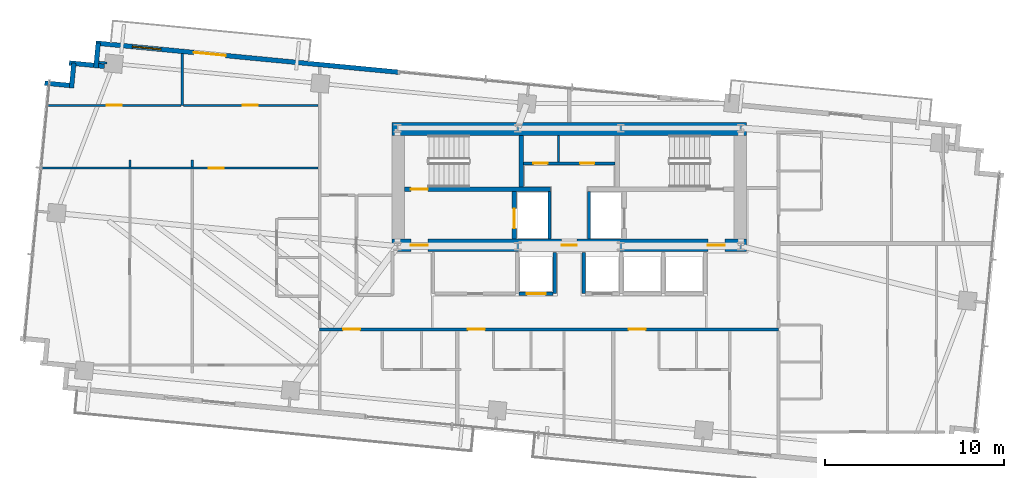
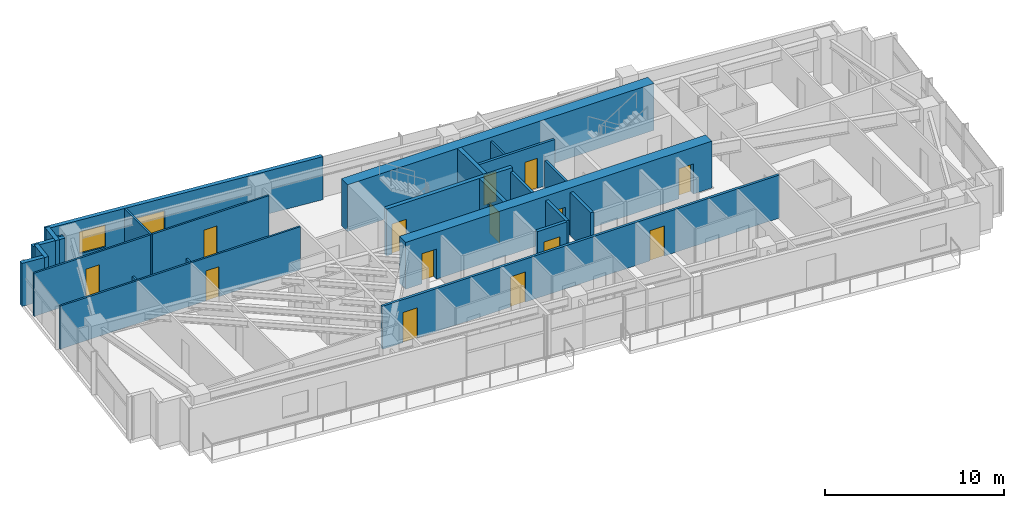
# One storey, part 15 of 19: 25 walls, 15 doors, 1 window, 16 openings.
"""IFC4 building model written with IfcOpenShell, lengths in metres."""

import ifcopenshell
import ifcopenshell.guid

model = None  # the IFC model being written
_history = None  # IfcOwnerHistory: only IFC2X3 demands one
_inside = {}  # id of a spatial element -> (the spatial element, [elements in it])
_under = {}  # id of a project, library or spatial element -> (it, [spatial elements below it])
_declared = {}  # id of a project -> (the project, [libraries it declares])
_typed = {}  # id of a type object -> (the type object, [elements of that type])
_made_of = {}  # id of a material, layer set ... -> (it, [elements and type objects made of it])


def new_model(schema):
    """Start an empty IFC model of exactly this schema.

    Asked for "IFC4X3", IfcOpenShell would pick the latest addendum, in which some entities
    have other attributes; the version numbers below select the first issue.
    IFC2X3 requires an IfcOwnerHistory on every rooted entity: one is made here for all.
    """
    global model, _history
    if schema == "IFC4X3":
        model = ifcopenshell.file(schema_version=(4, 3, 0, 0))
    else:
        model = ifcopenshell.file(schema=schema)
    _inside.clear()
    _under.clear()
    _declared.clear()
    _typed.clear()
    _made_of.clear()
    _history = None
    if model.schema == "IFC2X3":
        org = make("IfcOrganization", Name="unknown")
        user = make(
            "IfcPersonAndOrganization",
            ThePerson=make("IfcPerson", FamilyName="unknown"),
            TheOrganization=org,
        )
        app = make(
            "IfcApplication",
            ApplicationDeveloper=org,
            Version="unknown",
            ApplicationFullName="unknown",
            ApplicationIdentifier="unknown",
        )
        _history = make(
            "IfcOwnerHistory",
            OwningUser=user,
            OwningApplication=app,
            ChangeAction="ADDED",
            CreationDate=0,
        )
    return model


def make(cls, **values):
    """One entity of the class cls with the attributes given. An attribute that is None is left unset."""
    return model.create_entity(
        cls, **{name: value for name, value in values.items() if value is not None}
    )


def rooted(cls, **values):
    """An entity with a GlobalId (a new one), such as an element, a storey or a relation."""
    return make(cls, GlobalId=ifcopenshell.guid.new(), OwnerHistory=_history, **values)


def si_unit(unit_type, name, prefix=None):
    """IfcSIUnit, for example si_unit("LENGTHUNIT", "METRE", prefix="MILLI")."""
    return make("IfcSIUnit", UnitType=unit_type, Prefix=prefix, Name=name)


def assignment(units):
    """IfcUnitAssignment: the units of a project."""
    return None if units is None else make("IfcUnitAssignment", Units=units)


def point(xyz):
    """IfcCartesianPoint."""
    return None if xyz is None else make("IfcCartesianPoint", Coordinates=xyz)


def direction(xyz):
    """IfcDirection."""
    return None if xyz is None else make("IfcDirection", DirectionRatios=xyz)


def frame(location, z_axis=None, x_axis=None):
    """IfcAxis2Placement3D, a coordinate frame: its origin and axes. An axis left out is left unset."""
    return make(
        "IfcAxis2Placement3D",
        Location=point(location),
        Axis=direction(z_axis),
        RefDirection=direction(x_axis),
    )


def frame_2d(location, x_axis=None):
    """IfcAxis2Placement2D, a coordinate frame in the plane: its origin and x axis."""
    return make(
        "IfcAxis2Placement2D", Location=point(location), RefDirection=direction(x_axis)
    )


def origin():
    """The frame at (0, 0, 0) with its axes left unset."""
    return frame((0.0, 0.0, 0.0))


def place(relative_to, where):
    """IfcLocalPlacement: puts the frame where relative to a parent placement (None: the world)."""
    return make(
        "IfcLocalPlacement", PlacementRelTo=relative_to, RelativePlacement=where
    )


def context(
    kind, dimensions, precision=None, world=None, true_north=None, identifier=None
):
    """IfcGeometricRepresentationContext, for example the 3D "Model" context."""
    return make(
        "IfcGeometricRepresentationContext",
        ContextIdentifier=identifier,
        ContextType=kind,
        CoordinateSpaceDimension=dimensions,
        Precision=precision,
        WorldCoordinateSystem=world,
        TrueNorth=true_north,
    )


def subcontext(parent, identifier, kind, view, scale=None):
    """IfcGeometricRepresentationSubContext, for example "Body" below "Model"."""
    return make(
        "IfcGeometricRepresentationSubContext",
        ContextIdentifier=identifier,
        ContextType=kind,
        ParentContext=parent,
        TargetScale=scale,
        TargetView=view,
    )


def project(units=None, contexts=None):
    """IfcProject with its units and contexts."""
    return rooted(
        "IfcProject",
        Name="project",
        RepresentationContexts=contexts,
        UnitsInContext=assignment(units),
    )


def spatial(cls, under=None, at=None, **own):
    """A site, building, storey or space (cls), placed at a placement, below another one or the project."""
    s = rooted(cls, ObjectPlacement=at, **own)
    if under is not None:
        _under.setdefault(under.id(), (under, []))[1].append(s)
    return s


def profile(cls, at=None, kind="AREA", **sizes):
    """A parametric profile (cls). Its sizes go by their IFC names, for example OverallWidth=200.0."""
    return make(cls, ProfileType=kind, Position=at, **sizes)


def rectangle(**sizes):
    """IfcRectangleProfileDef."""
    return profile("IfcRectangleProfileDef", **sizes)


def extrude(swept, where, along, depth):
    """IfcExtrudedAreaSolid: the profile swept, set in the frame where, extruded along a direction by depth."""
    return make(
        "IfcExtrudedAreaSolid",
        SweptArea=swept,
        Position=where,
        ExtrudedDirection=direction(along),
        Depth=depth,
    )


def shape(context_of_items, identifier, shape_type, items):
    """IfcShapeRepresentation: the items that make up one representation, for example the "Body"."""
    return make(
        "IfcShapeRepresentation",
        ContextOfItems=context_of_items,
        RepresentationIdentifier=identifier,
        RepresentationType=shape_type,
        Items=items,
    )


def source(mapping_origin, context_of_items, identifier, shape_type, items):
    """IfcRepresentationMap: a shape defined once, which mapped items show again and again."""
    return make(
        "IfcRepresentationMap",
        MappingOrigin=mapping_origin,
        MappedRepresentation=shape(context_of_items, identifier, shape_type, items),
    )


def transform(
    local_origin,
    x_axis=None,
    y_axis=None,
    z_axis=None,
    scale=None,
    scale2=None,
    scale3=None,
    uniform=True,
):
    """IfcCartesianTransformationOperator3D, or its non-uniform kind. x_axis, y_axis, z_axis: its Axis1, 2, 3."""
    if uniform:
        return make(
            "IfcCartesianTransformationOperator3D",
            Axis1=direction(x_axis),
            Axis2=direction(y_axis),
            LocalOrigin=point(local_origin),
            Scale=scale,
            Axis3=direction(z_axis),
        )
    return make(
        "IfcCartesianTransformationOperator3DnonUniform",
        Axis1=direction(x_axis),
        Axis2=direction(y_axis),
        LocalOrigin=point(local_origin),
        Scale=scale,
        Axis3=direction(z_axis),
        Scale2=scale2,
        Scale3=scale3,
    )


def mapped(mapping_source, mapping_target):
    """IfcMappedItem: shows the shape of a source again, moved by a transform."""
    return make(
        "IfcMappedItem", MappingSource=mapping_source, MappingTarget=mapping_target
    )


def material(Name=None, Category=None):
    """IfcMaterial."""
    return make("IfcMaterial", Name=Name, Category=Category)


def layer(
    of_material, thickness, ventilated=None, Name=None, Category=None, Priority=None
):
    """IfcMaterialLayer: one layer of a wall or slab, of a material (None: an air gap)."""
    return make(
        "IfcMaterialLayer",
        Material=of_material,
        LayerThickness=thickness,
        IsVentilated=ventilated,
        Name=Name,
        Category=Category,
        Priority=Priority,
    )


def layer_set(layers, Name=None):
    """IfcMaterialLayerSet."""
    return make("IfcMaterialLayerSet", MaterialLayers=layers, LayerSetName=Name)


def made_of(thing, what):
    """Note that an element or type object is made of a material, layer set ...; save() writes the relation."""
    if what is not None:
        _made_of.setdefault(what.id(), (what, []))[1].append(thing)
    return thing


def type_object(cls, material=None, **own):
    """A type object (cls), such as IfcWallType, which elements share."""
    return made_of(rooted(cls, **own), material)


def type_shapes(of_type, sources):
    """Give a type object the sources (RepresentationMaps) that its elements show as mapped items."""
    of_type.RepresentationMaps = sources


def element(
    cls,
    number,
    at=None,
    inside=None,
    cuts=None,
    type_object=None,
    material=None,
    context=None,
    identifier="Body",
    shape_type=None,
    held_by="IfcProductDefinitionShape",
    body=None,
    shapes=None,
    **own,
):
    """One element of the class cls, such as IfcWall. Its Tag is "e" and its number.

    at: its placement. inside: the storey or other place that contains it. cuts: it is an
    opening in that element (IfcRelVoidsElement). A single representation is given by context,
    identifier, shape_type and body (its items); several are given by shapes. held_by: the class
    of the entity that holds the representations. save() writes the other relations.
    """
    e = rooted(cls, Tag="e%d" % number, ObjectPlacement=at, **own)
    if body is not None:
        shapes = [shape(context, identifier, shape_type, body)]
    if shapes is not None:
        e.Representation = make(held_by, Representations=shapes)
    if inside is not None:
        _inside.setdefault(inside.id(), (inside, []))[1].append(e)
    if cuts is not None:
        rooted(
            "IfcRelVoidsElement", RelatingBuildingElement=cuts, RelatedOpeningElement=e
        )
    if type_object is not None:
        _typed.setdefault(type_object.id(), (type_object, []))[1].append(e)
    return made_of(e, material)


def fill(opening, filler):
    """IfcRelFillsElement: the door or window that sits in an opening."""
    return rooted(
        "IfcRelFillsElement",
        RelatingOpeningElement=opening,
        RelatedBuildingElement=filler,
    )


def aggregate(whole, parts):
    """IfcRelAggregates: a whole, such as a stair, and the parts it consists of."""
    return rooted("IfcRelAggregates", RelatingObject=whole, RelatedObjects=parts)


def save(model, path):
    """Write the relations noted so far, then the file.

    IfcRelAggregates (storeys below a building ...), IfcRelContainedInSpatialStructure (elements
    in a storey), IfcRelDefinesByType, IfcRelAssociatesMaterial and IfcRelDeclares: one each for
    every whole, place, type object, material and project.
    """
    for whole, parts in _under.values():
        aggregate(whole, parts)
    for where, things in _inside.values():
        rooted(
            "IfcRelContainedInSpatialStructure",
            RelatedElements=things,
            RelatingStructure=where,
        )
    for kind, things in _typed.values():
        rooted("IfcRelDefinesByType", RelatedObjects=things, RelatingType=kind)
    for what, things in _made_of.values():
        rooted("IfcRelAssociatesMaterial", RelatedObjects=things, RelatingMaterial=what)
    for by, libraries in _declared.values():
        rooted("IfcRelDeclares", RelatingContext=by, RelatedDefinitions=libraries)
    model.write(path)


model = new_model("IFC4")

# Units and contexts
model_context = context("Model", 3, precision=1e-05, world=origin(), true_north=direction((0.0, 1.0)))
body_context = subcontext(model_context, "Body", "Model", "MODEL_VIEW")
ifc_project = project(units=[si_unit("LENGTHUNIT", "METRE"), si_unit("AREAUNIT", "SQUARE_METRE"), si_unit("VOLUMEUNIT", "CUBIC_METRE"), si_unit("PLANEANGLEUNIT", "RADIAN"), si_unit("MASSUNIT", "GRAM", prefix="KILO")], contexts=[model_context])

# Site, building, storey
site_placement = place(None, origin())
site = spatial("IfcSite", under=ifc_project, at=site_placement, CompositionType="ELEMENT")
building_placement = place(site_placement, origin())
building = spatial("IfcBuilding", under=site, at=building_placement, Name="Astriad Promenade Condominiums", CompositionType="ELEMENT")
storey_placement = place(building_placement, frame((0.0, 0.0, 140.60009765625)))
storey = spatial("IfcBuildingStorey", under=building, at=storey_placement, Name="L40", CompositionType="ELEMENT", Elevation=140.60009765625)

# Wall, openings, doors
ifc_material_1 = material(Name="Concrete C60/75", Category="concrete")
ifc_layer_1 = layer(ifc_material_1, 0.699951171875)
ifc_layer_set_1 = layer_set([ifc_layer_1], Name="Concrete C60/75")
wall_type_1 = type_object("IfcWallType", Name="CW-SHEAR-700", PredefinedType="SHEAR", material=ifc_layer_set_1)
wall_1_placement = place(storey_placement, frame((26.10009765625, 17.449951171875, 0.0), z_axis=(0.0, 0.0, 1.0), x_axis=(1.0, 0.0, 0.0)))
wall_1 = element("IfcWall", 1, at=wall_1_placement, inside=storey, type_object=wall_type_1, Name="CW-CORE-S-L40", PredefinedType="SHEAR", context=body_context, shape_type="SweptSolid", body=[
    extrude(rectangle(XDim=19.7998046875, YDim=0.699951171875, at=frame_2d((9.89990234375, 0.0))), origin(), (0.0, 0.0, 1.0), 3.199951171875),
])
opening_1_placement = place(wall_1_placement, frame((1.050048828125, 0.0, 0.0)))
opening_1 = element("IfcOpeningElement", 2, at=opening_1_placement, cuts=wall_1, Name="Opening FD90-ST-095", PredefinedType="OPENING", context=body_context, shape_type="SweptSolid", body=[
    extrude(rectangle(XDim=0.949951171875, YDim=2.06005859375, at=frame_2d((0.47509765625, 1.030029296875))), frame((0.0, 0.35986328125, 0.0), z_axis=(0.0, -1.0, 0.0), x_axis=(1.0, 0.0, 0.0)), (0.0, 0.0, 1.0), 0.719970703125),
])
opening_2_placement = place(wall_1_placement, frame((9.47998046875, 0.0, 0.0)))
opening_2 = element("IfcOpeningElement", 3, at=opening_2_placement, cuts=wall_1, Name="Opening FD60-ULOW-085", PredefinedType="OPENING", context=body_context, shape_type="SweptSolid", body=[
    extrude(rectangle(XDim=0.85009765625, YDim=2.0, at=frame_2d((0.425048828125, 1.0))), frame((0.0, 0.35986328125, 0.0), z_axis=(0.0, -1.0, 0.0), x_axis=(1.0, 0.0, 0.0)), (0.0, 0.0, 1.0), 0.719970703125),
])
opening_3_placement = place(wall_1_placement, frame((17.64990234375, 0.0, 0.0)))
opening_3 = element("IfcOpeningElement", 4, at=opening_3_placement, cuts=wall_1, Name="Opening FD90-ST-095", PredefinedType="OPENING", context=body_context, shape_type="SweptSolid", body=[
    extrude(rectangle(XDim=0.949951171875, YDim=2.06005859375, at=frame_2d((0.47509765625, 1.030029296875))), frame((0.0, 0.35986328125, 0.0), z_axis=(0.0, -1.0, 0.0), x_axis=(1.0, 0.0, 0.0)), (0.0, 0.0, 1.0), 0.719970703125),
])
ifc_material_2 = material(Name="Fire-Rated Hollow Metal Stair Door")
door_type_1 = type_object("IfcDoorType", Name="FD90-ST-095", OperationType="NOTDEFINED", PredefinedType="DOOR", material=ifc_material_2)
shared_shape_1 = source(origin(), body_context, "Body", "SweptSolid", [
    extrude(rectangle(XDim=0.949951171875, YDim=2.06005859375, at=frame_2d((0.47509765625, 1.030029296875))), frame((0.0, 0.02490234375, 0.0), z_axis=(0.0, -1.0, 0.0), x_axis=(1.0, 0.0, 0.0)), (0.0, 0.0, 1.0), 0.050048828125),
])
type_shapes(door_type_1, [shared_shape_1])
door_1_placement = place(opening_1_placement, origin())
door_1 = element("IfcDoor", 5, at=door_1_placement, inside=storey, type_object=door_type_1, Name="D-FFW-L40", OperationType="SINGLE_SWING_LEFT", OverallHeight=2.06005859375, OverallWidth=0.949951171875, PredefinedType="DOOR", context=body_context, shape_type="MappedRepresentation", body=[
    mapped(shared_shape_1, transform((0.0, 0.0, 0.0), scale=1.0)),
])
fill(opening_1, door_1)
door_2_placement = place(opening_3_placement, origin())
door_2 = element("IfcDoor", 6, at=door_2_placement, inside=storey, type_object=door_type_1, Name="D-FFE-L40", OperationType="SINGLE_SWING_RIGHT", OverallHeight=2.06005859375, OverallWidth=0.949951171875, PredefinedType="DOOR", context=body_context, shape_type="MappedRepresentation", body=[
    mapped(shared_shape_1, transform((0.0, 0.0, 0.0), scale=1.0)),
])
fill(opening_3, door_2)
ifc_material_3 = material(Name="Solid-Core Low-Headroom Fire Door")
door_type_2 = type_object("IfcDoorType", Name="FD60-ULOW-085", OperationType="NOTDEFINED", PredefinedType="DOOR", material=ifc_material_3)
shared_shape_2 = source(origin(), body_context, "Body", "SweptSolid", [
    extrude(rectangle(XDim=0.85009765625, YDim=2.0, at=frame_2d((0.425048828125, 1.0))), frame((0.0, 0.02490234375, 0.0), z_axis=(0.0, -1.0, 0.0), x_axis=(1.0, 0.0, 0.0)), (0.0, 0.0, 1.0), 0.050048828125),
])
type_shapes(door_type_2, [shared_shape_2])
door_3_placement = place(opening_2_placement, origin())
door_3 = element("IfcDoor", 7, at=door_3_placement, inside=storey, type_object=door_type_2, Name="D-CSL-L40", OperationType="SINGLE_SWING_RIGHT", OverallHeight=2.0, OverallWidth=0.85009765625, PredefinedType="DOOR", context=body_context, shape_type="MappedRepresentation", body=[
    mapped(shared_shape_2, transform((0.0, 0.0, 0.0), scale=1.0)),
])
fill(opening_2, door_3)

# Wall
wall_2_placement = place(storey_placement, frame((26.10009765625, 23.949951171875, 0.0), z_axis=(0.0, 0.0, 1.0), x_axis=(1.0, 0.0, 0.0)))
element("IfcWall", 8, at=wall_2_placement, inside=storey, type_object=wall_type_1, Name="CW-CORE-N-L40", PredefinedType="SHEAR", context=body_context, shape_type="SweptSolid", body=[
    extrude(rectangle(XDim=19.7998046875, YDim=0.699951171875, at=frame_2d((9.89990234375, 0.0))), origin(), (0.0, 0.0, 1.0), 3.199951171875),
])

# Wall, opening, door
ifc_material_4 = material(Name="Concrete C50/60", Category="concrete")
ifc_layer_2 = layer(ifc_material_4, 0.25)
ifc_layer_set_2 = layer_set([ifc_layer_2], Name="Concrete C50/60")
wall_type_2 = type_object("IfcWallType", Name="WALL-CORE-INT-250", PredefinedType="SOLIDWALL", material=ifc_layer_set_2)
wall_3_placement = place(storey_placement, frame((26.802001953125, 20.574951171875, 0.0), z_axis=(0.0, 0.0, 1.0), x_axis=(1.0, 0.0, 0.0)))
wall_3 = element("IfcWall", 9, at=wall_3_placement, inside=storey, type_object=wall_type_2, Name="CW-INT-H1-L40", PredefinedType="SOLIDWALL", context=body_context, shape_type="SweptSolid", body=[
    extrude(rectangle(XDim=8.14794921875, YDim=0.25, at=frame_2d((4.073974609375, 0.0))), origin(), (0.0, 0.0, 1.0), 3.199951171875),
])
opening_4_placement = place(wall_3_placement, frame((0.347900390625, 0.0, 0.0)))
opening_4 = element("IfcOpeningElement", 10, at=opening_4_placement, cuts=wall_3, Name="Opening FD90-ST-095", PredefinedType="OPENING", context=body_context, shape_type="SweptSolid", body=[
    extrude(rectangle(XDim=0.949951171875, YDim=2.06005859375, at=frame_2d((0.47509765625, 1.030029296875))), frame((0.0, 0.135009765625, 0.0), z_axis=(0.0, -1.0, 0.0), x_axis=(1.0, 0.0, 0.0)), (0.0, 0.0, 1.0), 0.27001953125),
])
door_4_placement = place(opening_4_placement, origin())
door_4 = element("IfcDoor", 11, at=door_4_placement, inside=storey, type_object=door_type_1, Name="D-ST1-L40", OperationType="SINGLE_SWING_RIGHT", OverallHeight=2.06005859375, OverallWidth=0.949951171875, PredefinedType="DOOR", context=body_context, shape_type="MappedRepresentation", body=[
    mapped(shared_shape_1, transform((0.0, 0.0, 0.0), scale=1.0)),
])
fill(opening_4, door_4)

# Wall
wall_4_placement = place(storey_placement, frame((33.324951171875, 20.701904296875, 0.0), z_axis=(0.0, 0.0, 1.0), x_axis=(0.0, 1.0, 0.0)))
element("IfcWall", 12, at=wall_4_placement, inside=storey, type_object=wall_type_2, Name="CW-ST1-E-L40", PredefinedType="SOLIDWALL", context=body_context, shape_type="SweptSolid", body=[
    extrude(rectangle(XDim=2.89599609375, YDim=0.25, at=frame_2d((1.447998046875, 0.0))), origin(), (0.0, 0.0, 1.0), 3.199951171875),
])

# Wall, opening, door
wall_5_placement = place(storey_placement, frame((32.925048828125, 17.802001953125, 0.0), z_axis=(0.0, 0.0, 1.0), x_axis=(0.0, 1.0, 0.0)))
wall_5 = element("IfcWall", 13, at=wall_5_placement, inside=storey, type_object=wall_type_2, Name="CW-FFL1-W-L40", PredefinedType="SOLIDWALL", context=body_context, shape_type="SweptSolid", body=[
    extrude(rectangle(XDim=2.64599609375, YDim=0.25, at=frame_2d((1.322998046875, 0.0))), origin(), (0.0, 0.0, 1.0), 3.199951171875),
])
opening_5_placement = place(wall_5_placement, frame((0.597900390625, 0.0, 0.0)))
opening_5 = element("IfcOpeningElement", 14, at=opening_5_placement, cuts=wall_5, Name="Opening LD-FFL-1122", PredefinedType="OPENING", context=body_context, shape_type="SweptSolid", body=[
    extrude(rectangle(XDim=1.10009765625, YDim=2.080078125, at=frame_2d((0.550048828125, 1.0400390625))), frame((0.0, 0.135009765625, 0.0), z_axis=(0.0, -1.0, 0.0), x_axis=(1.0, 0.0, 0.0)), (0.0, 0.0, 1.0), 0.27001953125),
])
ifc_material_5 = material(Name="Brushed Stainless Steel Fire Elevator Landing Door", Category="steel")
door_type_3 = type_object("IfcDoorType", Name="LD-FFL-1122", OperationType="NOTDEFINED", PredefinedType="DOOR", material=ifc_material_5)
shared_shape_3 = source(origin(), body_context, "Body", "SweptSolid", [
    extrude(rectangle(XDim=1.10009765625, YDim=2.080078125, at=frame_2d((0.550048828125, 1.0400390625))), frame((0.0, 0.02490234375, 0.0), z_axis=(0.0, -1.0, 0.0), x_axis=(1.0, 0.0, 0.0)), (0.0, 0.0, 1.0), 0.050048828125),
])
type_shapes(door_type_3, [shared_shape_3])
door_5_placement = place(opening_5_placement, origin())
door_5 = element("IfcDoor", 15, at=door_5_placement, inside=storey, type_object=door_type_3, Name="Elevator Landing Door FFL-1 (L40)", OperationType="SLIDING_TO_LEFT", OverallHeight=2.080078125, OverallWidth=1.10009765625, PredefinedType="DOOR", context=body_context, shape_type="MappedRepresentation", body=[
    mapped(shared_shape_3, transform((0.0, 0.0, 0.0), scale=1.0)),
])
fill(opening_5, door_5)

# Walls
ifc_material_6 = material(Name="Fire-Rated Gypsum Partition")
ifc_layer_3 = layer(ifc_material_6, 0.159912109375)
ifc_layer_set_3 = layer_set([ifc_layer_3], Name="Fire-Rated Gypsum Partition")
wall_type_3 = type_object("IfcWallType", Name="WALL-CORR-160", PredefinedType="PARTITIONING", material=ifc_layer_set_3)
for number, where, z_axis, x_axis, name in (
    (16, (34.89990234375, 17.802001953125, 0.0), (0.0, 0.0, 1.0), (0.0, 1.0, 0.0), "CW-FFL1-E-L40"),
    (17, (37.10009765625, 17.802001953125, 0.0), (0.0, 0.0, 1.0), (0.0, 1.0, 0.0), "CW-FFL2-W-L40"),
):
    element("IfcWall", number, at=place(storey_placement, frame(where, z_axis=z_axis, x_axis=x_axis)), inside=storey, type_object=wall_type_3, Name=name, PredefinedType="PARTITIONING", context=body_context, shape_type="SweptSolid", body=[
        extrude(rectangle(XDim=2.64599609375, YDim=0.159912109375, at=frame_2d((1.322998046875, 0.0))), origin(), (0.0, 0.0, 1.0), 2.93994140625),
    ])

# Wall, openings, doors
wall_6_placement = place(storey_placement, frame((33.451904296875, 22.030029296875, 0.0), z_axis=(0.0, 0.0, 1.0), x_axis=(1.0, 0.0, 0.0)))
wall_6 = element("IfcWall", 18, at=wall_6_placement, inside=storey, type_object=wall_type_3, Name="CW-AUX-N-L40", PredefinedType="PARTITIONING", context=body_context, shape_type="SweptSolid", body=[
    extrude(rectangle(XDim=5.09619140625, YDim=0.159912109375, at=frame_2d((2.548095703125, 0.0))), origin(), (0.0, 0.0, 1.0), 2.93994140625),
])
opening_6_placement = place(wall_6_placement, frame((0.5380859375, 0.0, 0.0)))
opening_6 = element("IfcOpeningElement", 19, at=opening_6_placement, cuts=wall_6, Name="Opening FD60-SV-080", PredefinedType="OPENING", context=body_context, shape_type="SweptSolid", body=[
    extrude(rectangle(XDim=0.800048828125, YDim=2.050048828125, at=frame_2d((0.39990234375, 1.02490234375))), frame((0.0, 0.08984375, 0.0), z_axis=(0.0, -1.0, 0.0), x_axis=(1.0, 0.0, 0.0)), (0.0, 0.0, 1.0), 0.179931640625),
])
opening_7_placement = place(wall_6_placement, frame((3.157958984375, 0.0, 0.0)))
opening_7 = element("IfcOpeningElement", 20, at=opening_7_placement, cuts=wall_6, Name="Opening FD60-SV-080", PredefinedType="OPENING", context=body_context, shape_type="SweptSolid", body=[
    extrude(rectangle(XDim=0.800048828125, YDim=2.050048828125, at=frame_2d((0.39990234375, 1.02490234375))), frame((0.0, 0.08984375, 0.0), z_axis=(0.0, -1.0, 0.0), x_axis=(1.0, 0.0, 0.0)), (0.0, 0.0, 1.0), 0.179931640625),
])
ifc_material_7 = material(Name="Fire-Rated Riser Closet Door")
door_type_4 = type_object("IfcDoorType", Name="FD60-SV-080", OperationType="NOTDEFINED", PredefinedType="DOOR", material=ifc_material_7)
shared_shape_4 = source(origin(), body_context, "Body", "SweptSolid", [
    extrude(rectangle(XDim=0.800048828125, YDim=2.050048828125, at=frame_2d((0.39990234375, 1.02490234375))), frame((0.0, 0.02490234375, 0.0), z_axis=(0.0, -1.0, 0.0), x_axis=(1.0, 0.0, 0.0)), (0.0, 0.0, 1.0), 0.050048828125),
])
type_shapes(door_type_4, [shared_shape_4])
door_6_placement = place(opening_6_placement, origin())
door_6 = element("IfcDoor", 21, at=door_6_placement, inside=storey, type_object=door_type_4, Name="D-AUX1-L40", OperationType="SINGLE_SWING_RIGHT", OverallHeight=2.050048828125, OverallWidth=0.800048828125, PredefinedType="DOOR", context=body_context, shape_type="MappedRepresentation", body=[
    mapped(shared_shape_4, transform((0.0, 0.0, 0.0), scale=1.0)),
])
fill(opening_6, door_6)
door_7_placement = place(opening_7_placement, origin())
door_7 = element("IfcDoor", 22, at=door_7_placement, inside=storey, type_object=door_type_4, Name="D-AUX2-L40", OperationType="SINGLE_SWING_LEFT", OverallHeight=2.050048828125, OverallWidth=0.800048828125, PredefinedType="DOOR", context=body_context, shape_type="MappedRepresentation", body=[
    mapped(shared_shape_4, transform((0.0, 0.0, 0.0), scale=1.0)),
])
fill(opening_7, door_7)

wall_7_placement = place(storey_placement, frame((22.050048828125, 12.75, 0.0), z_axis=(0.0, 0.0, 1.0), x_axis=(1.0, 0.0, 0.0)))
wall_7 = element("IfcWall", 23, at=wall_7_placement, inside=storey, type_object=wall_type_3, Name="PT-COR-S-L40", PredefinedType="PARTITIONING", context=body_context, shape_type="SweptSolid", body=[
    extrude(rectangle(XDim=25.64990234375, YDim=0.159912109375, at=frame_2d((12.824951171875, 0.0))), origin(), (0.0, 0.0, 1.0), 2.93994140625),
])
opening_8_placement = place(wall_7_placement, frame((1.31201171875, 0.0, 0.0)))
opening_8 = element("IfcOpeningElement", 24, at=opening_8_placement, cuts=wall_7, Name="Opening FD60-APT-095", PredefinedType="OPENING", context=body_context, shape_type="SweptSolid", body=[
    extrude(rectangle(XDim=0.949951171875, YDim=2.06005859375, at=frame_2d((0.47509765625, 1.030029296875))), frame((0.0, 0.08984375, 0.0), z_axis=(0.0, -1.0, 0.0), x_axis=(1.0, 0.0, 0.0)), (0.0, 0.0, 1.0), 0.179931640625),
])
opening_9_placement = place(wall_7_placement, frame((8.281005859375, 0.0, 0.0)))
opening_9 = element("IfcOpeningElement", 25, at=opening_9_placement, cuts=wall_7, Name="Opening FD60-APT-095", PredefinedType="OPENING", context=body_context, shape_type="SweptSolid", body=[
    extrude(rectangle(XDim=0.949951171875, YDim=2.06005859375, at=frame_2d((0.47509765625, 1.030029296875))), frame((0.0, 0.08984375, 0.0), z_axis=(0.0, -1.0, 0.0), x_axis=(1.0, 0.0, 0.0)), (0.0, 0.0, 1.0), 0.179931640625),
])
opening_10_placement = place(wall_7_placement, frame((17.26806640625, 0.0, 0.0)))
opening_10 = element("IfcOpeningElement", 26, at=opening_10_placement, cuts=wall_7, Name="Opening FD60-APT-095", PredefinedType="OPENING", context=body_context, shape_type="SweptSolid", body=[
    extrude(rectangle(XDim=0.949951171875, YDim=2.06005859375, at=frame_2d((0.47509765625, 1.030029296875))), frame((0.0, 0.08984375, 0.0), z_axis=(0.0, -1.0, 0.0), x_axis=(1.0, 0.0, 0.0)), (0.0, 0.0, 1.0), 0.179931640625),
])
ifc_material_8 = material(Name="Solid-Core Acoustic Timber Residence Entry Door", Category="wood")
door_type_5 = type_object("IfcDoorType", Name="FD60-APT-095", OperationType="NOTDEFINED", PredefinedType="DOOR", material=ifc_material_8)
shared_shape_5 = source(origin(), body_context, "Body", "SweptSolid", [
    extrude(rectangle(XDim=0.949951171875, YDim=2.06005859375, at=frame_2d((0.47509765625, 1.030029296875))), frame((0.0, 0.02490234375, 0.0), z_axis=(0.0, -1.0, 0.0), x_axis=(1.0, 0.0, 0.0)), (0.0, 0.0, 1.0), 0.050048828125),
])
type_shapes(door_type_5, [shared_shape_5])
door_8_placement = place(opening_8_placement, origin())
door_8 = element("IfcDoor", 27, at=door_8_placement, inside=storey, type_object=door_type_5, Name="D-ENT-L40-S1", OperationType="SINGLE_SWING_LEFT", OverallHeight=2.06005859375, OverallWidth=0.949951171875, PredefinedType="DOOR", context=body_context, shape_type="MappedRepresentation", body=[
    mapped(shared_shape_5, transform((0.0, 0.0, 0.0), scale=1.0)),
])
fill(opening_8, door_8)
door_9_placement = place(opening_9_placement, origin())
door_9 = element("IfcDoor", 28, at=door_9_placement, inside=storey, type_object=door_type_5, Name="D-ENT-L40-S2", OperationType="SINGLE_SWING_RIGHT", OverallHeight=2.06005859375, OverallWidth=0.949951171875, PredefinedType="DOOR", context=body_context, shape_type="MappedRepresentation", body=[
    mapped(shared_shape_5, transform((0.0, 0.0, 0.0), scale=1.0)),
])
fill(opening_9, door_9)
door_10_placement = place(opening_10_placement, origin())
door_10 = element("IfcDoor", 29, at=door_10_placement, inside=storey, type_object=door_type_5, Name="D-ENT-L40-S3", OperationType="SINGLE_SWING_RIGHT", OverallHeight=2.06005859375, OverallWidth=0.949951171875, PredefinedType="DOOR", context=body_context, shape_type="MappedRepresentation", body=[
    mapped(shared_shape_5, transform((0.0, 0.0, 0.0), scale=1.0)),
])
fill(opening_10, door_10)

# Walls
ifc_material_9 = material(Name="Precast concrete C50/60", Category="concrete")
ifc_layer_4 = layer(ifc_material_9, 0.260009765625)
ifc_layer_set_4 = layer_set([ifc_layer_4], Name="Precast concrete C50/60")
wall_type_4 = type_object("IfcWallType", Name="WALL-EXT-TWR-260", PredefinedType="STANDARD", material=ifc_layer_set_4)
wall_8_placement = place(storey_placement, frame((6.68115234375, 26.518310546875, 0.0), z_axis=(0.0, 0.0, 1.0), x_axis=(0.995389446633, -0.095915846097, 0.0)))
element("IfcWall", 30, at=wall_8_placement, inside=storey, type_object=wall_type_4, Name="W-SER-L40-04", PredefinedType="STANDARD", context=body_context, shape_type="SweptSolid", body=[
    extrude(rectangle(XDim=1.394775390625, YDim=0.260009765625, at=frame_2d((0.697265625, 0.0))), origin(), (0.0, 0.0, 1.0), 2.93994140625),
])
wall_9_placement = place(storey_placement, frame((8.171875, 26.243896484375, 0.0), z_axis=(0.0, 0.0, 1.0), x_axis=(0.095725744959, 0.99540774648, 0.0)))
element("IfcWall", 31, at=wall_9_placement, inside=storey, type_object=wall_type_4, Name="W-SER-L40-05", PredefinedType="STANDARD", context=body_context, shape_type="SweptSolid", body=[
    extrude(rectangle(XDim=1.39501953125, YDim=0.260009765625, at=frame_2d((0.697509765625, 0.0))), origin(), (0.0, 0.0, 1.0), 2.93994140625),
])
wall_10_placement = place(storey_placement, frame((8.045166015625, 27.642578125, 0.0), z_axis=(0.0, 0.0, 1.0), x_axis=(0.995391147587, -0.095898192396, 0.0)))
element("IfcWall", 32, at=wall_10_placement, inside=storey, type_object=wall_type_4, Name="W-SER-L40-06", PredefinedType="STANDARD", context=body_context, shape_type="SweptSolid", body=[
    extrude(rectangle(XDim=1.97802734375, YDim=0.260009765625, at=frame_2d((0.989013671875, 0.0))), origin(), (0.0, 0.0, 1.0), 2.93994140625),
])
wall_11_placement = place(storey_placement, frame((9.535888671875, 27.368408203125, 0.0), z_axis=(0.0, 0.0, 1.0), x_axis=(0.095915846097, 0.995389446633, 0.0)))
element("IfcWall", 33, at=wall_11_placement, inside=storey, type_object=wall_type_4, Name="W-SER-L40-07", PredefinedType="STANDARD", context=body_context, shape_type="SweptSolid", body=[
    extrude(rectangle(XDim=1.394775390625, YDim=0.260009765625, at=frame_2d((0.697265625, 0.0))), origin(), (0.0, 0.0, 1.0), 2.93994140625),
])

# Wall, openings, door, window
wall_12_placement = place(storey_placement, frame((9.538818359375, 28.75439453125, 0.0), z_axis=(0.0, 0.0, 1.0), x_axis=(0.995397345886, -0.09583383433, 0.0)))
wall_12 = element("IfcWall", 34, at=wall_12_placement, inside=storey, type_object=wall_type_4, Name="W-EXT-L40-N1", PredefinedType="STANDARD", context=body_context, shape_type="SweptSolid", body=[
    extrude(rectangle(XDim=17.010009765625, YDim=0.260009765625, at=frame_2d((8.5048828125, 0.0))), origin(), (0.0, 0.0, 1.0), 2.93994140625),
])
opening_11_placement = place(wall_12_placement, frame((5.49609375, 0.0, 0.0)))
opening_11 = element("IfcOpeningElement", 35, at=opening_11_placement, cuts=wall_12, Name="Opening BD-1822-SLD", PredefinedType="OPENING", context=body_context, shape_type="SweptSolid", body=[
    extrude(rectangle(XDim=1.800048828125, YDim=2.06005859375, at=frame_2d((0.89990234375, 1.030029296875))), frame((0.0, 0.139892578125, 0.0), z_axis=(0.0, -1.0, 0.0), x_axis=(1.0, 0.0, 0.0)), (0.0, 0.0, 1.0), 0.280029296875),
])
opening_12_placement = place(wall_12_placement, frame((2.050048828125, 0.0, 0.64990234375)))
opening_12 = element("IfcOpeningElement", 36, at=opening_12_placement, cuts=wall_12, Name="Opening WIN-TWR-1620", PredefinedType="OPENING", context=body_context, shape_type="SweptSolid", body=[
    extrude(rectangle(XDim=1.60009765625, YDim=1.5, at=frame_2d((0.800048828125, 0.75))), frame((0.0, 0.139892578125, 0.0), z_axis=(0.0, -1.0, 0.0), x_axis=(1.0, 0.0, 0.0)), (0.0, 0.0, 1.0), 0.280029296875),
])
ifc_material_10 = material(Name="Thermally Broken Aluminium Sliding Balcony Door", Category="aluminium")
door_type_6 = type_object("IfcDoorType", Name="BD-1822-SLD", OperationType="NOTDEFINED", PredefinedType="DOOR", material=ifc_material_10)
shared_shape_6 = source(origin(), body_context, "Body", "SweptSolid", [
    extrude(rectangle(XDim=1.800048828125, YDim=2.06005859375, at=frame_2d((0.89990234375, 1.030029296875))), frame((0.0, 0.02490234375, 0.0), z_axis=(0.0, -1.0, 0.0), x_axis=(1.0, 0.0, 0.0)), (0.0, 0.0, 1.0), 0.050048828125),
])
type_shapes(door_type_6, [shared_shape_6])
door_11_placement = place(opening_11_placement, origin())
door_11 = element("IfcDoor", 37, at=door_11_placement, inside=storey, type_object=door_type_6, Name="BD-L40-NW", OperationType="SLIDING_TO_LEFT", OverallHeight=2.06005859375, OverallWidth=1.800048828125, PredefinedType="DOOR", context=body_context, shape_type="MappedRepresentation", body=[
    mapped(shared_shape_6, transform((0.0, 0.0, 0.0), scale=1.0)),
])
fill(opening_11, door_11)
ifc_material_11 = material(Name="Dark Tinted Triple-Glazed Aluminium Window", Category="aluminium")
window_type = type_object("IfcWindowType", Name="WIN-TWR-1620", PartitioningType="SINGLE_PANEL", PredefinedType="WINDOW", material=ifc_material_11)
shared_shape_7 = source(origin(), body_context, "Body", "SweptSolid", [
    extrude(rectangle(XDim=1.60009765625, YDim=1.5, at=frame_2d((0.800048828125, 0.75))), frame((0.0, 0.030029296875, 0.0), z_axis=(0.0, -1.0, 0.0), x_axis=(1.0, 0.0, 0.0)), (0.0, 0.0, 1.0), 0.06005859375),
])
type_shapes(window_type, [shared_shape_7])
window_placement = place(opening_12_placement, origin())
window = element("IfcWindow", 38, at=window_placement, inside=storey, type_object=window_type, Name="WIN-L40-NW", OverallHeight=1.5, OverallWidth=1.60009765625, PartitioningType="SINGLE_PANEL", PredefinedType="WINDOW", context=body_context, shape_type="MappedRepresentation", body=[
    mapped(shared_shape_7, transform((0.0, 0.0, 0.0), scale=1.0)),
])
fill(opening_12, window)

# Walls
ifc_material_12 = material(Name="Acoustic Metal-Stud Gypsum Partition")
ifc_layer_5 = layer(ifc_material_12, 0.1201171875)
ifc_layer_set_5 = layer_set([ifc_layer_5], Name="Acoustic Metal-Stud Gypsum Partition")
wall_type_5 = type_object("IfcWallType", Name="WALL-PART-120", PredefinedType="PARTITIONING", material=ifc_layer_set_5)
wall_13_placement = place(storey_placement, frame((35.39990234375, 22.112060546875, 0.0), z_axis=(0.0, 0.0, 1.0), x_axis=(0.0, 1.0, 0.0)))
element("IfcWall", 39, at=wall_13_placement, inside=storey, type_object=wall_type_5, Name="CW-AUX-V1-L40", PredefinedType="PARTITIONING", context=body_context, shape_type="SweptSolid", body=[
    extrude(rectangle(XDim=1.48583984375, YDim=0.1201171875, at=frame_2d((0.742919921875, 0.0))), origin(), (0.0, 0.0, 1.0), 2.93994140625),
])
wall_14_placement = place(storey_placement, frame((14.364013671875, 25.26806640625, 0.0), z_axis=(0.0, 0.0, 1.0), x_axis=(0.0, 1.0, 0.0)))
element("IfcWall", 40, at=wall_14_placement, inside=storey, type_object=wall_type_5, Name="PT-L40-W1-B1M", PredefinedType="PARTITIONING", context=body_context, shape_type="SweptSolid", body=[
    extrude(rectangle(XDim=2.88916015625, YDim=0.1201171875, at=frame_2d((1.444580078125, 0.0))), origin(), (0.0, 0.0, 1.0), 2.93994140625),
])

# Wall, opening, door
wall_15_placement = place(storey_placement, frame((6.771728515625, 25.26806640625, 0.0), z_axis=(0.0, 0.0, 1.0), x_axis=(1.0, 0.0, 0.0)))
wall_15 = element("IfcWall", 41, at=wall_15_placement, inside=storey, type_object=wall_type_5, Name="PT-L40-W1-B1", PredefinedType="PARTITIONING", context=body_context, shape_type="SweptSolid", body=[
    extrude(rectangle(XDim=7.5302734375, YDim=0.1201171875, at=frame_2d((3.76513671875, 0.0))), origin(), (0.0, 0.0, 1.0), 2.93994140625),
])
opening_13_placement = place(wall_15_placement, frame((3.3642578125, 0.0, 0.0)))
opening_13 = element("IfcOpeningElement", 42, at=opening_13_placement, cuts=wall_15, Name="Opening D-INT-085", PredefinedType="OPENING", context=body_context, shape_type="SweptSolid", body=[
    extrude(rectangle(XDim=0.85009765625, YDim=2.050048828125, at=frame_2d((0.425048828125, 1.02490234375))), frame((0.0, 0.070068359375, 0.0), z_axis=(0.0, -1.0, 0.0), x_axis=(1.0, 0.0, 0.0)), (0.0, 0.0, 1.0), 0.14013671875),
])
ifc_material_13 = material(Name="Painted Solid-Core Timber Room Door", Category="wood")
door_type_7 = type_object("IfcDoorType", Name="D-INT-085", OperationType="NOTDEFINED", PredefinedType="DOOR", material=ifc_material_13)
shared_shape_8 = source(origin(), body_context, "Body", "SweptSolid", [
    extrude(rectangle(XDim=0.85009765625, YDim=2.050048828125, at=frame_2d((0.425048828125, 1.02490234375))), frame((0.0, 0.02490234375, 0.0), z_axis=(0.0, -1.0, 0.0), x_axis=(1.0, 0.0, 0.0)), (0.0, 0.0, 1.0), 0.050048828125),
])
type_shapes(door_type_7, [shared_shape_8])
door_12_placement = place(opening_13_placement, origin())
door_12 = element("IfcDoor", 43, at=door_12_placement, inside=storey, type_object=door_type_7, Name="D-BD1-L40-W1", OperationType="SINGLE_SWING_LEFT", OverallHeight=2.050048828125, OverallWidth=0.85009765625, PredefinedType="DOOR", context=body_context, shape_type="MappedRepresentation", body=[
    mapped(shared_shape_8, transform((0.0, 0.0, 0.0), scale=1.0)),
])
fill(opening_13, door_12)

wall_16_placement = place(storey_placement, frame((14.426025390625, 25.26806640625, 0.0), z_axis=(0.0, 0.0, 1.0), x_axis=(1.0, 0.0, 0.0)))
wall_16 = element("IfcWall", 44, at=wall_16_placement, inside=storey, type_object=wall_type_5, Name="PT-L40-W1-B1-S2", PredefinedType="PARTITIONING", context=body_context, shape_type="SweptSolid", body=[
    extrude(rectangle(XDim=7.5419921875, YDim=0.1201171875, at=frame_2d((3.77099609375, 0.0))), origin(), (0.0, 0.0, 1.0), 2.93994140625),
])
opening_14_placement = place(wall_16_placement, frame((3.31591796875, 0.0, 0.0)))
opening_14 = element("IfcOpeningElement", 45, at=opening_14_placement, cuts=wall_16, Name="Opening D-INT-085", PredefinedType="OPENING", context=body_context, shape_type="SweptSolid", body=[
    extrude(rectangle(XDim=0.85009765625, YDim=2.050048828125, at=frame_2d((0.425048828125, 1.02490234375))), frame((0.0, 0.070068359375, 0.0), z_axis=(0.0, -1.0, 0.0), x_axis=(1.0, 0.0, 0.0)), (0.0, 0.0, 1.0), 0.14013671875),
])
door_13_placement = place(opening_14_placement, origin())
door_13 = element("IfcDoor", 46, at=door_13_placement, inside=storey, type_object=door_type_7, Name="D-BD1B-L40-W1", OperationType="SINGLE_SWING_RIGHT", OverallHeight=2.050048828125, OverallWidth=0.85009765625, PredefinedType="DOOR", context=body_context, shape_type="MappedRepresentation", body=[
    mapped(shared_shape_8, transform((0.0, 0.0, 0.0), scale=1.0)),
])
fill(opening_14, door_13)

wall_17_placement = place(storey_placement, frame((6.4345703125, 21.76611328125, 0.0), z_axis=(0.0, 0.0, 1.0), x_axis=(1.0, 0.0, 0.0)))
wall_17 = element("IfcWall", 47, at=wall_17_placement, inside=storey, type_object=wall_type_5, Name="PT-L40-W1-WDN1", PredefinedType="PARTITIONING", context=body_context, shape_type="SweptSolid", body=[
    extrude(rectangle(XDim=15.533447265625, YDim=0.1201171875, at=frame_2d((7.7666015625, 0.0))), origin(), (0.0, 0.0, 1.0), 2.93994140625),
])
opening_15_placement = place(wall_17_placement, frame((9.411376953125, 0.0, 0.0)))
opening_15 = element("IfcOpeningElement", 48, at=opening_15_placement, cuts=wall_17, Name="Opening D-INT-085", PredefinedType="OPENING", context=body_context, shape_type="SweptSolid", body=[
    extrude(rectangle(XDim=0.85009765625, YDim=2.050048828125, at=frame_2d((0.425048828125, 1.02490234375))), frame((0.0, 0.070068359375, 0.0), z_axis=(0.0, -1.0, 0.0), x_axis=(1.0, 0.0, 0.0)), (0.0, 0.0, 1.0), 0.14013671875),
])
door_14_placement = place(opening_15_placement, origin())
door_14 = element("IfcDoor", 49, at=door_14_placement, inside=storey, type_object=door_type_7, Name="D-WDN1-L40-W1", OperationType="SINGLE_SWING_LEFT", OverallHeight=2.050048828125, OverallWidth=0.85009765625, PredefinedType="DOOR", context=body_context, shape_type="MappedRepresentation", body=[
    mapped(shared_shape_8, transform((0.0, 0.0, 0.0), scale=1.0)),
])
fill(opening_15, door_14)

# Walls
for number, where, z_axis, x_axis, name in (
    (50, (11.43701171875, 21.827880859375, 0.0), (0.0, 0.0, 1.0), (0.0, 1.0, 0.0), "PT-L40-W1-WDV3-S3"),
    (51, (14.9208984375, 21.827880859375, 0.0), (0.0, 0.0, 1.0), (0.0, 1.0, 0.0), "PT-L40-W1-WDV4-S3"),
):
    element("IfcWall", number, at=place(storey_placement, frame(where, z_axis=z_axis, x_axis=x_axis)), inside=storey, type_object=wall_type_5, Name=name, PredefinedType="PARTITIONING", context=body_context, shape_type="SweptSolid", body=[
        extrude(rectangle(XDim=0.378173828125, YDim=0.1201171875, at=frame_2d((0.18896484375, 0.0))), origin(), (0.0, 0.0, 1.0), 2.93994140625),
    ])
wall_18_placement = place(storey_placement, frame((10.15478515625, 27.640380859375, 0.0), z_axis=(0.0, 0.0, 1.0), x_axis=(-0.995435366701, 0.095438098896, 0.0)))
element("IfcWall", 52, at=wall_18_placement, inside=storey, type_object=wall_type_5, Name="PT-PIL-L40-PC06-13", PredefinedType="PARTITIONING", context=body_context, shape_type="SweptSolid", body=[
    extrude(rectangle(XDim=0.4580078125, YDim=0.1201171875, at=frame_2d((0.22900390625, 0.0))), origin(), (0.0, 0.0, 1.0), 2.93994140625),
])
ifc_material_14 = material(Name="Gypsum Shaftliner Assembly")
ifc_layer_6 = layer(ifc_material_14, 0.199951171875)
ifc_layer_set_6 = layer_set([ifc_layer_6], Name="Gypsum Shaftliner Assembly")
wall_type_6 = type_object("IfcWallType", Name="WALL-SHAFT-200", PredefinedType="PARTITIONING", material=ifc_layer_set_6)
wall_19_placement = place(storey_placement, frame((35.199951171875, 14.75, 0.0), z_axis=(0.0, 0.0, 1.0), x_axis=(0.0, 1.0, 0.0)))
element("IfcWall", 53, at=wall_19_placement, inside=storey, type_object=wall_type_6, Name="PL-M1-E-L40", PredefinedType="PARTITIONING", context=body_context, shape_type="SweptSolid", body=[
    extrude(rectangle(XDim=2.300048828125, YDim=0.199951171875, at=frame_2d((1.14990234375, 0.0))), origin(), (0.0, 0.0, 1.0), 2.93994140625),
])

# Wall, opening, door
wall_20_placement = place(storey_placement, frame((33.201904296875, 14.75, 0.0), z_axis=(0.0, 0.0, 1.0), x_axis=(1.0, 0.0, 0.0)))
wall_20 = element("IfcWall", 54, at=wall_20_placement, inside=storey, type_object=wall_type_6, Name="PL-M1-F-L40", PredefinedType="PARTITIONING", context=body_context, shape_type="SweptSolid", body=[
    extrude(rectangle(XDim=1.89599609375, YDim=0.199951171875, at=frame_2d((0.947998046875, 0.0))), origin(), (0.0, 0.0, 1.0), 2.93994140625),
])
opening_16_placement = place(wall_20_placement, frame((0.423095703125, 0.0, 0.0)))
opening_16 = element("IfcOpeningElement", 55, at=opening_16_placement, cuts=wall_20, Name="Opening LD-PL-10522", PredefinedType="OPENING", context=body_context, shape_type="SweptSolid", body=[
    extrude(rectangle(XDim=1.050048828125, YDim=2.080078125, at=frame_2d((0.52490234375, 1.0400390625))), frame((0.0, 0.10986328125, 0.0), z_axis=(0.0, -1.0, 0.0), x_axis=(1.0, 0.0, 0.0)), (0.0, 0.0, 1.0), 0.219970703125),
])
ifc_material_15 = material(Name="Brushed Bronze Passenger Elevator Landing Door")
door_type_8 = type_object("IfcDoorType", Name="LD-PL-10522", OperationType="NOTDEFINED", PredefinedType="DOOR", material=ifc_material_15)
shared_shape_9 = source(origin(), body_context, "Body", "SweptSolid", [
    extrude(rectangle(XDim=1.050048828125, YDim=2.080078125, at=frame_2d((0.52490234375, 1.0400390625))), frame((0.0, 0.02490234375, 0.0), z_axis=(0.0, -1.0, 0.0), x_axis=(1.0, 0.0, 0.0)), (0.0, 0.0, 1.0), 0.050048828125),
])
type_shapes(door_type_8, [shared_shape_9])
door_15_placement = place(opening_16_placement, origin())
door_15 = element("IfcDoor", 56, at=door_15_placement, inside=storey, type_object=door_type_8, Name="Elevator Landing Door PL-M1 (L40)", OperationType="SLIDING_TO_LEFT", OverallHeight=2.080078125, OverallWidth=1.050048828125, PredefinedType="DOOR", context=body_context, shape_type="MappedRepresentation", body=[
    mapped(shared_shape_9, transform((0.0, 0.0, 0.0), scale=1.0)),
])
fill(opening_16, door_15)

# Wall
wall_21_placement = place(storey_placement, frame((36.800048828125, 14.75, 0.0), z_axis=(0.0, 0.0, 1.0), x_axis=(0.0, 1.0, 0.0)))
element("IfcWall", 57, at=wall_21_placement, inside=storey, type_object=wall_type_6, Name="PL-M2-W-L40", PredefinedType="PARTITIONING", context=body_context, shape_type="SweptSolid", body=[
    extrude(rectangle(XDim=2.300048828125, YDim=0.199951171875, at=frame_2d((1.14990234375, 0.0))), origin(), (0.0, 0.0, 1.0), 2.93994140625),
])

save(model, "model.ifc")
